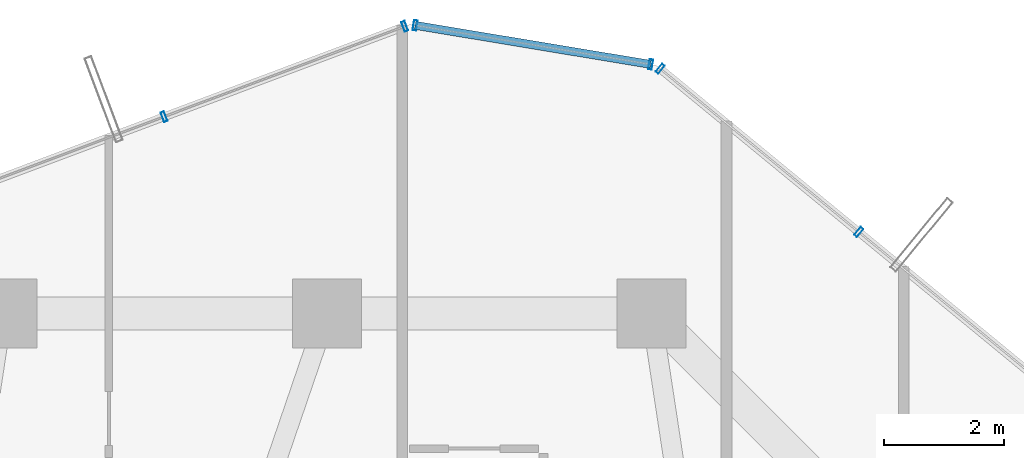
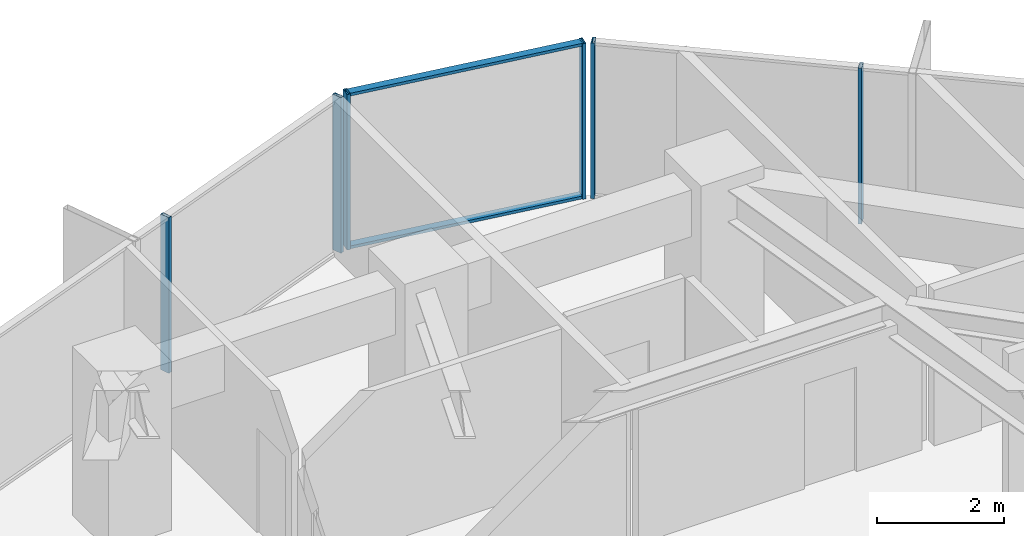
# One storey, part 22 of 30: 8 members, 3 elements without a shape of their own.
"""IFC4 building model written with IfcOpenShell, lengths in metres."""

from ifc_helpers import new_model, si_unit, direction, frame, origin, origin_2d, place, context, subcontext, project, spatial, hollow_rectangle, extrude, source, transform, mapped, material, layer, layer_set, material_profile, profile_set, type_object, element, aggregate, save


model = new_model("IFC4")

# Units and contexts
model_context = context("Model", 3, precision=1e-05, world=origin(), true_north=direction((0.0, 1.0)))
body_context = subcontext(model_context, "Body", "Model", "MODEL_VIEW")
ifc_project = project(units=[si_unit("LENGTHUNIT", "METRE"), si_unit("AREAUNIT", "SQUARE_METRE"), si_unit("VOLUMEUNIT", "CUBIC_METRE"), si_unit("PLANEANGLEUNIT", "RADIAN"), si_unit("MASSUNIT", "GRAM", prefix="KILO")], contexts=[model_context])

# Site, building, storey
site_placement = place(None, origin())
site = spatial("IfcSite", under=ifc_project, at=site_placement, CompositionType="ELEMENT")
building_placement = place(site_placement, origin())
building = spatial("IfcBuilding", under=site, at=building_placement, Name="Veraguas Prism Commons", CompositionType="ELEMENT")
storey_placement = place(building_placement, frame((0.0, 0.0, 95.949951171875)))
storey = spatial("IfcBuildingStorey", under=building, at=storey_placement, Name="L26", CompositionType="ELEMENT", Elevation=95.949951171875)

# Curtain wall, members
ifc_material = material(Name="Anodised aluminium EN AW-6063 T6", Category="aluminium")
ifc_layer = layer(ifc_material, 0.169921875, Name="Unitised Flush Curtain Wall Zone 2", Category="aluminium")
ifc_layer_set = layer_set([ifc_layer], Name="Anodised aluminium EN AW-6063 T6")
curtain_wall_type = type_object("IfcCurtainWallType", Name="Unitised Flush Curtain Wall Zone 2", PredefinedType="NOTDEFINED", material=ifc_layer_set)
curtain_wall_1_placement = place(storey_placement, origin())
curtain_wall_1 = element("IfcCurtainWall", 1, at=curtain_wall_1_placement, inside=storey, type_object=curtain_wall_type, Name="Tower Facade Curtain Wall L26-F1", PredefinedType="NOTDEFINED")
ifc_material_profile_1 = material_profile(ifc_material, hollow_rectangle(XDim=0.06005859375, YDim=0.169921875, WallThickness=0.00390625, at=origin_2d()), Name="AL60X170X4")
ifc_profile_set_1 = profile_set([ifc_material_profile_1], Name="Anodised aluminium EN AW-6063 T6")
member_type_1 = type_object("IfcMemberType", Name="Curtain Wall Mullion Lower AL 60x170x4", PredefinedType="MULLION", material=ifc_profile_set_1)
shared_shape_1 = source(origin(), body_context, "Body", "SweptSolid", [
    extrude(hollow_rectangle(XDim=0.06005859375, YDim=0.169921875, WallThickness=0.00390625, at=origin_2d()), origin(), (0.0, 0.0, 1.0), 3.0),
])
member_1_placement = place(storey_placement, frame((32.8525390625, 41.5546875, 0.0), z_axis=(0.0, 0.0, 1.0), x_axis=(-0.772511963678, 0.635000209429, 0.0)))
member_1 = element("IfcMember", 2, at=member_1_placement, type_object=member_type_1, Name="CW-Z2 Mullion 4", PredefinedType="MULLION", context=body_context, shape_type="MappedRepresentation", body=[
    mapped(shared_shape_1, transform((0.0, 0.0, 0.0), scale=1.0)),
])
member_2_placement = place(storey_placement, frame((29.547119140625, 44.271484375, 0.0), z_axis=(0.0, 0.0, 1.0), x_axis=(-0.772511963678, 0.635000209429, 0.0)))
member_2 = element("IfcMember", 3, at=member_2_placement, type_object=member_type_1, Name="CW-Z2 Mullion 5", PredefinedType="MULLION", context=body_context, shape_type="MappedRepresentation", body=[
    mapped(shared_shape_1, transform((0.0, 0.0, 0.0), scale=1.0)),
])
aggregate(curtain_wall_1, [member_1, member_2])

curtain_wall_2_placement = place(storey_placement, origin())
curtain_wall_2 = element("IfcCurtainWall", 4, at=curtain_wall_2_placement, inside=storey, type_object=curtain_wall_type, Name="Tower Facade Curtain Wall L26-F2", PredefinedType="NOTDEFINED")
member_3_placement = place(storey_placement, frame((25.296142578125, 44.976806640625, 0.0), z_axis=(0.0, 0.0, 1.0), x_axis=(-0.93618290812, -0.351513246611, 0.0)))
member_3 = element("IfcMember", 5, at=member_3_placement, type_object=member_type_1, Name="CW-Z2 Mullion 1", PredefinedType="MULLION", context=body_context, shape_type="MappedRepresentation", body=[
    mapped(shared_shape_1, transform((0.0, 0.0, 0.0), scale=1.0)),
])
member_4_placement = place(storey_placement, frame((21.290771484375, 43.47265625, 0.0), z_axis=(0.0, 0.0, 1.0), x_axis=(-0.93618290812, -0.351513246611, 0.0)))
member_4 = element("IfcMember", 6, at=member_4_placement, type_object=member_type_1, Name="CW-Z2 Mullion 2", PredefinedType="MULLION", context=body_context, shape_type="MappedRepresentation", body=[
    mapped(shared_shape_1, transform((0.0, 0.0, 0.0), scale=1.0)),
])
aggregate(curtain_wall_2, [member_3, member_4])

curtain_wall_3_placement = place(storey_placement, origin())
curtain_wall_3 = element("IfcCurtainWall", 7, at=curtain_wall_3_placement, inside=storey, type_object=curtain_wall_type, Name="Chamfer Curtain Wall L26-C2", PredefinedType="NOTDEFINED")
member_5_placement = place(storey_placement, frame((29.388916015625, 44.343505859375, 0.0), z_axis=(0.0, 0.0, 1.0), x_axis=(-0.986515089987, 0.163670330935, 0.0)))
member_5 = element("IfcMember", 8, at=member_5_placement, type_object=member_type_1, Name="CW-Z2 Mullion 1", PredefinedType="MULLION", context=body_context, shape_type="MappedRepresentation", body=[
    mapped(shared_shape_1, transform((0.0, 0.0, 0.0), scale=1.0)),
])
member_6_placement = place(storey_placement, frame((25.46923828125, 44.99365234375, 0.0), z_axis=(0.0, 0.0, 1.0), x_axis=(-0.986515089987, 0.163670330935, 0.0)))
member_6 = element("IfcMember", 9, at=member_6_placement, type_object=member_type_1, Name="CW-Z2 Mullion 2", PredefinedType="MULLION", context=body_context, shape_type="MappedRepresentation", body=[
    mapped(shared_shape_1, transform((0.0, 0.0, 0.0), scale=1.0)),
])
ifc_material_profile_2 = material_profile(ifc_material, hollow_rectangle(XDim=0.054931640625, YDim=0.135009765625, WallThickness=0.0029296875, at=origin_2d()), Name="AL55X135X3")
ifc_profile_set_2 = profile_set([ifc_material_profile_2], Name="Anodised aluminium EN AW-6063 T6")
member_type_2 = type_object("IfcMemberType", Name="Curtain Wall Transom Standard AL 55x135x3", PredefinedType="USERDEFINED", material=ifc_profile_set_2)
shared_shape_2 = source(origin(), body_context, "Body", "SweptSolid", [
    extrude(hollow_rectangle(XDim=0.054931640625, YDim=0.135009765625, WallThickness=0.0029296875, at=origin_2d()), origin(), (0.0, 0.0, 1.0), 3.97314453125),
])
member_7_placement = place(storey_placement, frame((29.388916015625, 44.343505859375, 0.027587890625), z_axis=(-0.986521500318, 0.163631688281, 0.0), x_axis=(0.0, 0.0, 1.0)))
member_7 = element("IfcMember", 10, at=member_7_placement, type_object=member_type_2, Name="CW-Z2 Transom 1", ObjectType="TRANSOM", PredefinedType="USERDEFINED", context=body_context, shape_type="MappedRepresentation", body=[
    mapped(shared_shape_2, transform((0.0, 0.0, 0.0), scale=1.0)),
])
member_8_placement = place(storey_placement, frame((29.388916015625, 44.343505859375, 2.97265625), z_axis=(-0.986521500318, 0.163631688281, 0.0), x_axis=(0.0, 0.0, 1.0)))
member_8 = element("IfcMember", 11, at=member_8_placement, type_object=member_type_2, Name="CW-Z2 Transom 2", ObjectType="TRANSOM", PredefinedType="USERDEFINED", context=body_context, shape_type="MappedRepresentation", body=[
    mapped(shared_shape_2, transform((0.0, 0.0, 0.0), scale=1.0)),
])
aggregate(curtain_wall_3, [member_5, member_6, member_7, member_8])

save(model, "model.ifc")
